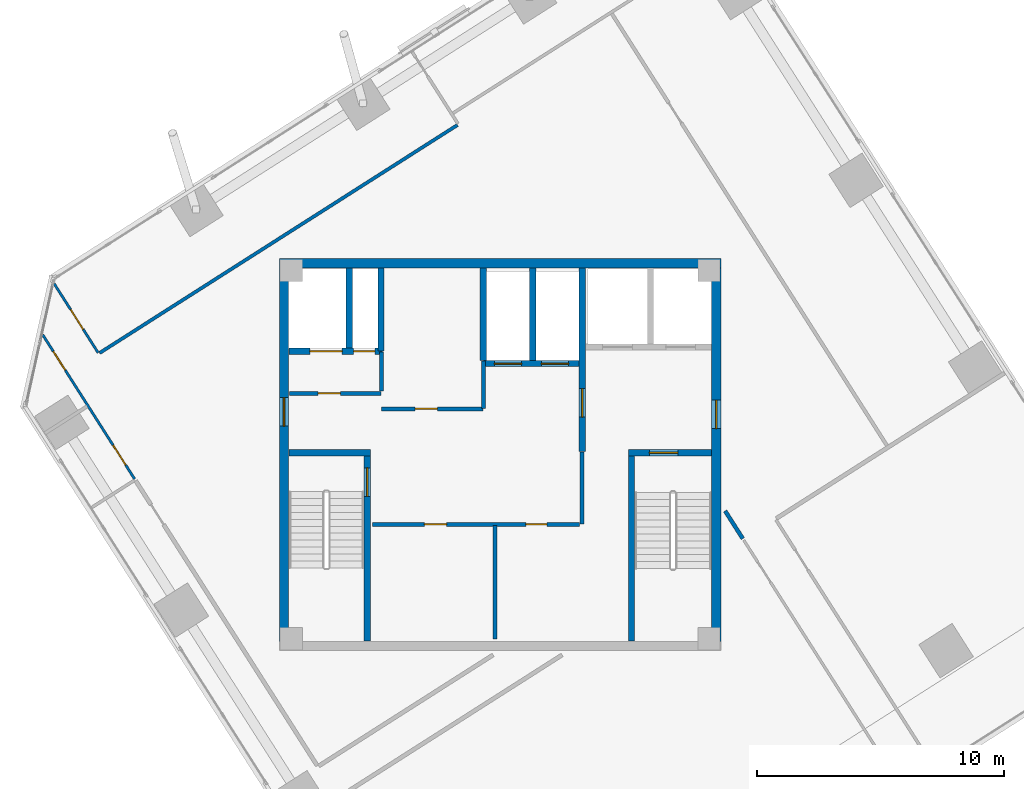
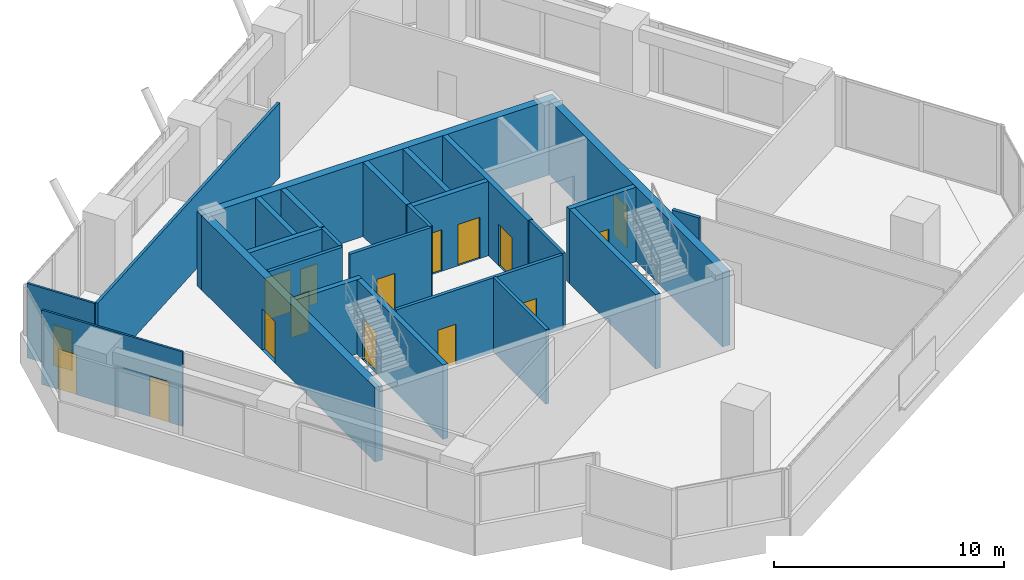
# One storey, part 10 of 14: 25 walls, 16 doors, 16 openings.
"""IFC4 building model written with IfcOpenShell, lengths in metres."""

from ifc_helpers import new_model, si_unit, direction, frame, frame_2d, origin, place, context, subcontext, project, spatial, rectangle, extrude, source, transform, mapped, material, layer, layer_set, type_object, element, fill, save


model = new_model("IFC4")

# Units and contexts
model_context = context("Model", 3, precision=1e-05, world=origin(), true_north=direction((0.0, 1.0)))
body_context = subcontext(model_context, "Body", "Model", "MODEL_VIEW")
ifc_project = project(units=[si_unit("LENGTHUNIT", "METRE"), si_unit("AREAUNIT", "SQUARE_METRE"), si_unit("VOLUMEUNIT", "CUBIC_METRE"), si_unit("PLANEANGLEUNIT", "RADIAN"), si_unit("MASSUNIT", "GRAM", prefix="KILO")], contexts=[model_context])

# Site, building, storey
site_placement = place(None, origin())
site = spatial("IfcSite", under=ifc_project, at=site_placement, CompositionType="ELEMENT")
building_placement = place(site_placement, origin())
building = spatial("IfcBuilding", under=site, at=building_placement, Name="Torre Montelarca", CompositionType="ELEMENT")
storey_placement = place(building_placement, frame((0.0, 0.0, 315.60009765625)))
storey = spatial("IfcBuildingStorey", under=building, at=storey_placement, Name="L71", CompositionType="ELEMENT", Elevation=315.60009765625)

# Wall, opening, door
ifc_material_1 = material(Name="Concrete C40/50", Category="concrete")
ifc_layer_1 = layer(ifc_material_1, 0.25, Name="Concrete C40/50", Category="concrete")
ifc_layer_set_1 = layer_set([ifc_layer_1], Name="Concrete C40/50")
wall_type_1 = type_object("IfcWallType", Name="CW-SHAFT-250", PredefinedType="SHEAR", material=ifc_layer_set_1)
wall_1_placement = place(storey_placement, frame((12.625, 24.4599609375, 0.0), z_axis=(0.0, 0.0, 1.0), x_axis=(0.0, 1.0, 0.0)))
wall_1 = element("IfcWall", 1, at=wall_1_placement, inside=storey, type_object=wall_type_1, Name="L71 Core Shear Wall SH-ST1-E", PredefinedType="SHEAR", context=body_context, shape_type="SweptSolid", body=[
    extrude(rectangle(XDim=7.489990234375, YDim=0.25, at=frame_2d((3.7451171875, 0.0))), origin(), (0.0, 0.0, 1.0), 3.9599609375),
])
opening_1_placement = place(wall_1_placement, frame((5.85009765625, 0.0, 0.0)))
opening_1 = element("IfcOpeningElement", 2, at=opening_1_placement, cuts=wall_1, Name="Opening FD-ST1", PredefinedType="OPENING", context=body_context, shape_type="SweptSolid", body=[
    extrude(rectangle(XDim=1.14990234375, YDim=2.199951171875, at=frame_2d((0.574951171875, 1.10009765625))), frame((0.0, 0.135009765625, 0.0), z_axis=(0.0, -1.0, 0.0), x_axis=(1.0, 0.0, 0.0)), (0.0, 0.0, 1.0), 0.27001953125),
])
ifc_material_2 = material(Name="Galvanized steel fire door", Category="steel")
door_type_1 = type_object("IfcDoorType", Name="DR-STAIR-115", OperationType="NOTDEFINED", PredefinedType="DOOR", material=ifc_material_2)
shared_shape_1 = source(origin(), body_context, "Body", "SweptSolid", [
    extrude(rectangle(XDim=1.14990234375, YDim=2.199951171875, at=frame_2d((0.574951171875, 1.10009765625))), frame((0.0, 0.02490234375, 0.0), z_axis=(0.0, -1.0, 0.0), x_axis=(1.0, 0.0, 0.0)), (0.0, 0.0, 1.0), 0.050048828125),
])
door_1_placement = place(opening_1_placement, origin())
door_1 = element("IfcDoor", 3, at=door_1_placement, inside=storey, type_object=door_type_1, Name="L71 Exit Stair ST1 Fire Door", OperationType="SINGLE_SWING_RIGHT", OverallHeight=2.199951171875, OverallWidth=1.14990234375, PredefinedType="DOOR", context=body_context, shape_type="MappedRepresentation", body=[
    mapped(shared_shape_1, transform((0.0, 0.0, 0.0), scale=1.0)),
])
fill(opening_1, door_1)

# Walls
wall_2_placement = place(storey_placement, frame((9.4599609375, 32.074951171875, 0.0), z_axis=(0.0, 0.0, 1.0), x_axis=(1.0, 0.0, 0.0)))
element("IfcWall", 4, at=wall_2_placement, inside=storey, type_object=wall_type_1, Name="L71 Core Shear Wall SH-ST1-N", PredefinedType="SHEAR", context=body_context, shape_type="SweptSolid", body=[
    extrude(rectangle(XDim=3.2900390625, YDim=0.25, at=frame_2d((1.64501953125, 0.0))), origin(), (0.0, 0.0, 1.0), 3.9599609375),
])
wall_3_placement = place(storey_placement, frame((23.31494140625, 24.4599609375, 0.0), z_axis=(0.0, 0.0, 1.0), x_axis=(0.0, 1.0, 0.0)))
element("IfcWall", 5, at=wall_3_placement, inside=storey, type_object=wall_type_1, Name="L71 Core Shear Wall SH-ST2-W", PredefinedType="SHEAR", context=body_context, shape_type="SweptSolid", body=[
    extrude(rectangle(XDim=7.489990234375, YDim=0.25, at=frame_2d((3.7451171875, 0.0))), origin(), (0.0, 0.0, 1.0), 3.9599609375),
])

# Wall, opening, door
wall_4_placement = place(storey_placement, frame((23.18994140625, 32.074951171875, 0.0), z_axis=(0.0, 0.0, 1.0), x_axis=(1.0, 0.0, 0.0)))
wall_4 = element("IfcWall", 6, at=wall_4_placement, inside=storey, type_object=wall_type_1, Name="L71 Core Shear Wall SH-ST2-N", PredefinedType="SHEAR", context=body_context, shape_type="SweptSolid", body=[
    extrude(rectangle(XDim=3.35009765625, YDim=0.25, at=frame_2d((1.675048828125, 0.0))), origin(), (0.0, 0.0, 1.0), 3.9599609375),
])
opening_2_placement = place(wall_4_placement, frame((0.85009765625, 0.0, 0.0)))
opening_2 = element("IfcOpeningElement", 7, at=opening_2_placement, cuts=wall_4, Name="Opening FD-ST1", PredefinedType="OPENING", context=body_context, shape_type="SweptSolid", body=[
    extrude(rectangle(XDim=1.14990234375, YDim=2.199951171875, at=frame_2d((0.574951171875, 1.10009765625))), frame((0.0, 0.135009765625, 0.0), z_axis=(0.0, -1.0, 0.0), x_axis=(1.0, 0.0, 0.0)), (0.0, 0.0, 1.0), 0.27001953125),
])
door_2_placement = place(opening_2_placement, origin())
door_2 = element("IfcDoor", 8, at=door_2_placement, inside=storey, type_object=door_type_1, Name="L71 Exit Stair ST2 Fire Door", OperationType="SINGLE_SWING_RIGHT", OverallHeight=2.199951171875, OverallWidth=1.14990234375, PredefinedType="DOOR", context=body_context, shape_type="MappedRepresentation", body=[
    mapped(shared_shape_1, transform((0.0, 0.0, 0.0), scale=1.0)),
])
fill(opening_2, door_2)

wall_5_placement = place(storey_placement, frame((21.320068359375, 32.1201171875, 0.0), z_axis=(0.0, 0.0, 1.0), x_axis=(0.0, 1.0, 0.0)))
wall_5 = element("IfcWall", 9, at=wall_5_placement, inside=storey, type_object=wall_type_1, Name="L71 Core Shear Wall SH-FFL-W", PredefinedType="SHEAR", context=body_context, shape_type="SweptSolid", body=[
    extrude(rectangle(XDim=7.419921875, YDim=0.25, at=frame_2d((3.7099609375, 0.0))), origin(), (0.0, 0.0, 1.0), 3.9599609375),
])
opening_3_placement = place(wall_5_placement, frame((1.39990234375, 0.0, 0.0)))
opening_3 = element("IfcOpeningElement", 10, at=opening_3_placement, cuts=wall_5, Name="Opening FD-LB1", PredefinedType="OPENING", context=body_context, shape_type="SweptSolid", body=[
    extrude(rectangle(XDim=1.14990234375, YDim=2.199951171875, at=frame_2d((0.574951171875, 1.10009765625))), frame((0.0, 0.135009765625, 0.0), z_axis=(0.0, -1.0, 0.0), x_axis=(1.0, 0.0, 0.0)), (0.0, 0.0, 1.0), 0.27001953125),
])
ifc_material_3 = material(Name="Acoustic timber-veneered fire door", Category="wood")
door_type_2 = type_object("IfcDoorType", Name="DR-LOBBY-115", OperationType="NOTDEFINED", PredefinedType="DOOR", material=ifc_material_3)
shared_shape_2 = source(origin(), body_context, "Body", "SweptSolid", [
    extrude(rectangle(XDim=1.14990234375, YDim=2.199951171875, at=frame_2d((0.574951171875, 1.10009765625))), frame((0.0, 0.02490234375, 0.0), z_axis=(0.0, -1.0, 0.0), x_axis=(1.0, 0.0, 0.0)), (0.0, 0.0, 1.0), 0.050048828125),
])
door_3_placement = place(opening_3_placement, origin())
door_3 = element("IfcDoor", 11, at=door_3_placement, inside=storey, type_object=door_type_2, Name="L71 Lift Lobby to Firefighting Lobby Smoke Door", OperationType="SINGLE_SWING_LEFT", OverallHeight=2.199951171875, OverallWidth=1.14990234375, PredefinedType="DOOR", context=body_context, shape_type="MappedRepresentation", body=[
    mapped(shared_shape_2, transform((0.0, 0.0, 0.0), scale=1.0)),
])
fill(opening_3, door_3)

# Wall, openings, doors
wall_6_placement = place(storey_placement, frame((9.4599609375, 36.179931640625, 0.0), z_axis=(0.0, 0.0, 1.0), x_axis=(1.0, 0.0, 0.0)))
wall_6 = element("IfcWall", 12, at=wall_6_placement, inside=storey, type_object=wall_type_1, Name="L71 Core Shear Wall SH-SV1-S", PredefinedType="SHEAR", context=body_context, shape_type="SweptSolid", body=[
    extrude(rectangle(XDim=3.7900390625, YDim=0.25, at=frame_2d((1.89501953125, 0.0))), origin(), (0.0, 0.0, 1.0), 3.9599609375),
])
opening_4_placement = place(wall_6_placement, frame((2.6201171875, 0.0, 0.0)))
opening_4 = element("IfcOpeningElement", 13, at=opening_4_placement, cuts=wall_6, Name="Opening FD-085", PredefinedType="OPENING", context=body_context, shape_type="SweptSolid", body=[
    extrude(rectangle(XDim=0.85009765625, YDim=2.10009765625, at=frame_2d((0.425048828125, 1.050048828125))), frame((0.0, 0.135009765625, 0.0), z_axis=(0.0, -1.0, 0.0), x_axis=(1.0, 0.0, 0.0)), (0.0, 0.0, 1.0), 0.27001953125),
])
opening_5_placement = place(wall_6_placement, frame((0.85009765625, 0.0, 0.0)))
opening_5 = element("IfcOpeningElement", 14, at=opening_5_placement, cuts=wall_6, Name="Opening LD-130", PredefinedType="OPENING", context=body_context, shape_type="SweptSolid", body=[
    extrude(rectangle(XDim=1.300048828125, YDim=2.25, at=frame_2d((0.64990234375, 1.125))), frame((0.0, 0.135009765625, 0.0), z_axis=(0.0, -1.0, 0.0), x_axis=(1.0, 0.0, 0.0)), (0.0, 0.0, 1.0), 0.27001953125),
])
ifc_material_4 = material(Name="Steel riser access fire door", Category="steel")
door_type_3 = type_object("IfcDoorType", Name="DR-RISER-085", OperationType="NOTDEFINED", PredefinedType="DOOR", material=ifc_material_4)
shared_shape_3 = source(origin(), body_context, "Body", "SweptSolid", [
    extrude(rectangle(XDim=0.85009765625, YDim=2.10009765625, at=frame_2d((0.425048828125, 1.050048828125))), frame((0.0, 0.02490234375, 0.0), z_axis=(0.0, -1.0, 0.0), x_axis=(1.0, 0.0, 0.0)), (0.0, 0.0, 1.0), 0.050048828125),
])
door_4_placement = place(opening_4_placement, origin())
door_4 = element("IfcDoor", 15, at=door_4_placement, inside=storey, type_object=door_type_3, Name="L71 Electrical Riser Shaft Access Door", OperationType="SINGLE_SWING_RIGHT", OverallHeight=2.10009765625, OverallWidth=0.85009765625, PredefinedType="DOOR", context=body_context, shape_type="MappedRepresentation", body=[
    mapped(shared_shape_3, transform((0.0, 0.0, 0.0), scale=1.0)),
])
fill(opening_4, door_4)
ifc_material_5 = material(Name="Brushed stainless steel AISI 316", Category="steel")
door_type_4 = type_object("IfcDoorType", Name="DR-LIFT-130", OperationType="SLIDING_TO_LEFT", PredefinedType="DOOR", material=ifc_material_5)
shared_shape_4 = source(origin(), body_context, "Body", "SweptSolid", [
    extrude(rectangle(XDim=1.300048828125, YDim=2.25, at=frame_2d((0.64990234375, 1.125))), frame((0.0, 0.02490234375, 0.0), z_axis=(0.0, -1.0, 0.0), x_axis=(1.0, 0.0, 0.0)), (0.0, 0.0, 1.0), 0.050048828125),
])
door_5_placement = place(opening_5_placement, origin())
door_5 = element("IfcDoor", 16, at=door_5_placement, inside=storey, type_object=door_type_4, Name="L71 Lift Landing Sliding Door SV-1", OperationType="SLIDING_TO_LEFT", OverallHeight=2.25, OverallWidth=1.300048828125, PredefinedType="DOOR", context=body_context, shape_type="MappedRepresentation", body=[
    mapped(shared_shape_4, transform((0.0, 0.0, 0.0), scale=1.0)),
])
fill(opening_5, door_5)

# Walls
wall_7_placement = place(storey_placement, frame((11.89990234375, 36.31005859375, 0.0), z_axis=(0.0, 0.0, 1.0), x_axis=(0.0, 1.0, 0.0)))
element("IfcWall", 17, at=wall_7_placement, inside=storey, type_object=wall_type_1, Name="L71 Core Shear Wall SH-SV1-E", PredefinedType="SHEAR", context=body_context, shape_type="SweptSolid", body=[
    extrude(rectangle(XDim=3.22998046875, YDim=0.25, at=frame_2d((1.614990234375, 0.0))), origin(), (0.0, 0.0, 1.0), 3.9599609375),
])
wall_8_placement = place(storey_placement, frame((13.179931640625, 36.199951171875, 0.0), z_axis=(0.0, 0.0, 1.0), x_axis=(0.0, 1.0, 0.0)))
element("IfcWall", 18, at=wall_8_placement, inside=storey, type_object=wall_type_1, Name="L71 Core Shear Wall SH-RSR1-E", PredefinedType="SHEAR", context=body_context, shape_type="SweptSolid", body=[
    extrude(rectangle(XDim=3.340087890625, YDim=0.25, at=frame_2d((1.669921875, 0.0))), origin(), (0.0, 0.0, 1.0), 3.9599609375),
])

# Wall, openings, doors
wall_9_placement = place(storey_placement, frame((17.320068359375, 35.679931640625, 0.0), z_axis=(0.0, 0.0, 1.0), x_axis=(1.0, 0.0, 0.0)))
wall_9 = element("IfcWall", 19, at=wall_9_placement, inside=storey, type_object=wall_type_1, Name="L71 Core Shear Wall SH-PLH-S", PredefinedType="SHEAR", context=body_context, shape_type="SweptSolid", body=[
    extrude(rectangle(XDim=3.869873046875, YDim=0.25, at=frame_2d((1.93505859375, 0.0))), origin(), (0.0, 0.0, 1.0), 3.9599609375),
])
opening_6_placement = place(wall_9_placement, frame((0.449951171875, 0.0, 0.0)))
opening_6 = element("IfcOpeningElement", 20, at=opening_6_placement, cuts=wall_9, Name="Opening LD-110", PredefinedType="OPENING", context=body_context, shape_type="SweptSolid", body=[
    extrude(rectangle(XDim=1.10009765625, YDim=2.199951171875, at=frame_2d((0.550048828125, 1.10009765625))), frame((0.0, 0.135009765625, 0.0), z_axis=(0.0, -1.0, 0.0), x_axis=(1.0, 0.0, 0.0)), (0.0, 0.0, 1.0), 0.27001953125),
])
opening_7_placement = place(wall_9_placement, frame((2.35009765625, 0.0, 0.0)))
opening_7 = element("IfcOpeningElement", 21, at=opening_7_placement, cuts=wall_9, Name="Opening LD-110", PredefinedType="OPENING", context=body_context, shape_type="SweptSolid", body=[
    extrude(rectangle(XDim=1.10009765625, YDim=2.199951171875, at=frame_2d((0.550048828125, 1.10009765625))), frame((0.0, 0.135009765625, 0.0), z_axis=(0.0, -1.0, 0.0), x_axis=(1.0, 0.0, 0.0)), (0.0, 0.0, 1.0), 0.27001953125),
])
door_type_5 = type_object("IfcDoorType", Name="DR-LIFT-110", OperationType="SLIDING_TO_LEFT", PredefinedType="DOOR", material=ifc_material_5)
shared_shape_5 = source(origin(), body_context, "Body", "SweptSolid", [
    extrude(rectangle(XDim=1.10009765625, YDim=2.199951171875, at=frame_2d((0.550048828125, 1.10009765625))), frame((0.0, 0.02490234375, 0.0), z_axis=(0.0, -1.0, 0.0), x_axis=(1.0, 0.0, 0.0)), (0.0, 0.0, 1.0), 0.050048828125),
])
door_6_placement = place(opening_6_placement, origin())
door_6 = element("IfcDoor", 22, at=door_6_placement, inside=storey, type_object=door_type_5, Name="L71 Lift Landing Sliding Door PL-H1", OperationType="SLIDING_TO_LEFT", OverallHeight=2.199951171875, OverallWidth=1.10009765625, PredefinedType="DOOR", context=body_context, shape_type="MappedRepresentation", body=[
    mapped(shared_shape_5, transform((0.0, 0.0, 0.0), scale=1.0)),
])
fill(opening_6, door_6)
door_7_placement = place(opening_7_placement, origin())
door_7 = element("IfcDoor", 23, at=door_7_placement, inside=storey, type_object=door_type_5, Name="L71 Lift Landing Sliding Door PL-H2", OperationType="SLIDING_TO_RIGHT", OverallHeight=2.199951171875, OverallWidth=1.10009765625, PredefinedType="DOOR", context=body_context, shape_type="MappedRepresentation", body=[
    mapped(shared_shape_5, transform((0.0, 0.0, 0.0), scale=1.0)),
])
fill(opening_7, door_7)

# Walls
for number, where, z_axis, x_axis, name in (
    (24, (17.320068359375, 35.81005859375, 0.0), (0.0, 0.0, 1.0), (0.0, 1.0, 0.0), "L71 Core Shear Wall SH-PLH-W"),
    (25, (19.320068359375, 35.81005859375, 0.0), (0.0, 0.0, 1.0), (0.0, 1.0, 0.0), "L71 Core Shear Wall SH-PLH-M"),
):
    element("IfcWall", number, at=place(storey_placement, frame(where, z_axis=z_axis, x_axis=x_axis)), inside=storey, type_object=wall_type_1, Name=name, PredefinedType="SHEAR", context=body_context, shape_type="SweptSolid", body=[
        extrude(rectangle(XDim=3.72998046875, YDim=0.25, at=frame_2d((1.864990234375, 0.0))), origin(), (0.0, 0.0, 1.0), 3.9599609375),
    ])

# Wall, opening, door
ifc_layer_2 = layer(ifc_material_1, 0.3798828125, Name="Concrete C40/50", Category="concrete")
ifc_layer_set_2 = layer_set([ifc_layer_2], Name="Concrete C40/50")
wall_type_2 = type_object("IfcWallType", Name="CW-SHEAR-380", PredefinedType="SHEAR", material=ifc_layer_set_2)
wall_10_placement = place(storey_placement, frame((9.260009765625, 24.449951171875, 0.0), z_axis=(0.0, 0.0, 1.0), x_axis=(0.0, 1.0, 0.0)))
wall_10 = element("IfcWall", 26, at=wall_10_placement, inside=storey, type_object=wall_type_2, Name="L71 Core Shear Wall CW-W", PredefinedType="SHEAR", context=body_context, shape_type="SweptSolid", body=[
    extrude(rectangle(XDim=15.10009765625, YDim=0.3798828125, at=frame_2d((7.550048828125, 0.0))), origin(), (0.0, 0.0, 1.0), 3.9599609375),
])
opening_8_placement = place(wall_10_placement, frame((8.699951171875, 0.0, 0.0)))
opening_8 = element("IfcOpeningElement", 27, at=opening_8_placement, cuts=wall_10, Name="Opening FD-LB1", PredefinedType="OPENING", context=body_context, shape_type="SweptSolid", body=[
    extrude(rectangle(XDim=1.14990234375, YDim=2.199951171875, at=frame_2d((0.574951171875, 1.10009765625))), frame((0.0, 0.199951171875, 0.0), z_axis=(0.0, -1.0, 0.0), x_axis=(1.0, 0.0, 0.0)), (0.0, 0.0, 1.0), 0.39990234375),
])
door_8_placement = place(opening_8_placement, origin())
door_8 = element("IfcDoor", 28, at=door_8_placement, inside=storey, type_object=door_type_2, Name="L71 Passenger Lift Lobby West Corridor Fire Door", OperationType="SINGLE_SWING_RIGHT", OverallHeight=2.199951171875, OverallWidth=1.14990234375, PredefinedType="DOOR", context=body_context, shape_type="MappedRepresentation", body=[
    mapped(shared_shape_2, transform((0.0, 0.0, 0.0), scale=1.0)),
])
fill(opening_8, door_8)

wall_11_placement = place(storey_placement, frame((26.739990234375, 24.449951171875, 0.0), z_axis=(0.0, 0.0, 1.0), x_axis=(0.0, 1.0, 0.0)))
wall_11 = element("IfcWall", 29, at=wall_11_placement, inside=storey, type_object=wall_type_2, Name="L71 Core Shear Wall CW-E", PredefinedType="SHEAR", context=body_context, shape_type="SweptSolid", body=[
    extrude(rectangle(XDim=15.10009765625, YDim=0.3798828125, at=frame_2d((7.550048828125, 0.0))), origin(), (0.0, 0.0, 1.0), 3.9599609375),
])
opening_9_placement = place(wall_11_placement, frame((8.60009765625, 0.0, 0.0)))
opening_9 = element("IfcOpeningElement", 30, at=opening_9_placement, cuts=wall_11, Name="Opening FD-LB1", PredefinedType="OPENING", context=body_context, shape_type="SweptSolid", body=[
    extrude(rectangle(XDim=1.14990234375, YDim=2.199951171875, at=frame_2d((0.574951171875, 1.10009765625))), frame((0.0, 0.199951171875, 0.0), z_axis=(0.0, -1.0, 0.0), x_axis=(1.0, 0.0, 0.0)), (0.0, 0.0, 1.0), 0.39990234375),
])
door_9_placement = place(opening_9_placement, origin())
door_9 = element("IfcDoor", 31, at=door_9_placement, inside=storey, type_object=door_type_2, Name="L71 Firefighting Lift Lobby Corridor Fire Door", OperationType="SINGLE_SWING_RIGHT", OverallHeight=2.199951171875, OverallWidth=1.14990234375, PredefinedType="DOOR", context=body_context, shape_type="MappedRepresentation", body=[
    mapped(shared_shape_2, transform((0.0, 0.0, 0.0), scale=1.0)),
])
fill(opening_9, door_9)

# Wall
wall_12_placement = place(storey_placement, frame((9.070068359375, 39.739990234375, 0.0), z_axis=(0.0, 0.0, 1.0), x_axis=(1.0, 0.0, 0.0)))
element("IfcWall", 32, at=wall_12_placement, inside=storey, type_object=wall_type_2, Name="L71 Core Shear Wall CW-N1", PredefinedType="SHEAR", context=body_context, shape_type="SweptSolid", body=[
    extrude(rectangle(XDim=17.85986328125, YDim=0.3798828125, at=frame_2d((8.929931640625, 0.0))), origin(), (0.0, 0.0, 1.0), 3.9599609375),
])

# Wall, opening, door
ifc_material_6 = material(Name="Gypsum plasterboard on steel stud", Category="steel")
ifc_layer_3 = layer(ifc_material_6, 0.159912109375, Name="Gypsum plasterboard on steel stud", Category="steel")
ifc_layer_set_3 = layer_set([ifc_layer_3], Name="Gypsum plasterboard on steel stud")
wall_type_3 = type_object("IfcWallType", Name="PW-FIRE-160", PredefinedType="PARTITIONING", material=ifc_layer_set_3)
wall_13_placement = place(storey_placement, frame((9.489990234375, 34.47998046875, 0.0), z_axis=(0.0, 0.0, 1.0), x_axis=(1.0, 0.0, 0.0)))
wall_13 = element("IfcWall", 33, at=wall_13_placement, inside=storey, type_object=wall_type_3, Name="L71 Interior Partition CW-L71-SVS", PredefinedType="PARTITIONING", context=body_context, shape_type="SweptSolid", body=[
    extrude(rectangle(XDim=3.699951171875, YDim=0.159912109375, at=frame_2d((1.85009765625, 0.0))), origin(), (0.0, 0.0, 1.0), 3.9599609375),
])
opening_10_placement = place(wall_13_placement, frame((1.14990234375, 0.0, 0.0)))
opening_10 = element("IfcOpeningElement", 34, at=opening_10_placement, cuts=wall_13, Name="Opening FD-090", PredefinedType="OPENING", context=body_context, shape_type="SweptSolid", body=[
    extrude(rectangle(XDim=0.89990234375, YDim=2.14990234375, at=frame_2d((0.449951171875, 1.074951171875))), frame((0.0, 0.08984375, 0.0), z_axis=(0.0, -1.0, 0.0), x_axis=(1.0, 0.0, 0.0)), (0.0, 0.0, 1.0), 0.179931640625),
])
ifc_material_7 = material(Name="Steel service fire door", Category="steel")
door_type_6 = type_object("IfcDoorType", Name="DR-FIRE-090", OperationType="NOTDEFINED", PredefinedType="DOOR", material=ifc_material_7)
shared_shape_6 = source(origin(), body_context, "Body", "SweptSolid", [
    extrude(rectangle(XDim=0.89990234375, YDim=2.14990234375, at=frame_2d((0.449951171875, 1.074951171875))), frame((0.0, 0.02490234375, 0.0), z_axis=(0.0, -1.0, 0.0), x_axis=(1.0, 0.0, 0.0)), (0.0, 0.0, 1.0), 0.050048828125),
])
door_10_placement = place(opening_10_placement, origin())
door_10 = element("IfcDoor", 35, at=door_10_placement, inside=storey, type_object=door_type_6, Name="L71 Interior Door 01", OperationType="SINGLE_SWING_RIGHT", OverallHeight=2.14990234375, OverallWidth=0.89990234375, PredefinedType="DOOR", context=body_context, shape_type="MappedRepresentation", body=[
    mapped(shared_shape_6, transform((0.0, 0.0, 0.0), scale=1.0)),
])
fill(opening_10, door_10)

# Wall
wall_14_placement = place(storey_placement, frame((13.199951171875, 34.570068359375, 0.0), z_axis=(0.0, 0.0, 1.0), x_axis=(0.0, 1.0, 0.0)))
element("IfcWall", 36, at=wall_14_placement, inside=storey, type_object=wall_type_3, Name="L71 Interior Partition CW-L71-SVE", PredefinedType="PARTITIONING", context=body_context, shape_type="SweptSolid", body=[
    extrude(rectangle(XDim=1.56982421875, YDim=0.159912109375, at=frame_2d((0.784912109375, 0.0))), origin(), (0.0, 0.0, 1.0), 3.9599609375),
])

# Wall, opening, door
wall_15_placement = place(storey_placement, frame((13.2099609375, 33.85009765625, 0.0), z_axis=(0.0, 0.0, 1.0), x_axis=(1.0, 0.0, 0.0)))
wall_15 = element("IfcWall", 37, at=wall_15_placement, inside=storey, type_object=wall_type_3, Name="L71 Interior Partition CW-L71-FRMS", PredefinedType="PARTITIONING", context=body_context, shape_type="SweptSolid", body=[
    extrude(rectangle(XDim=4.10009765625, YDim=0.159912109375, at=frame_2d((2.050048828125, 0.0))), origin(), (0.0, 0.0, 1.0), 3.9599609375),
])
opening_11_placement = place(wall_15_placement, frame((1.35009765625, 0.0, 0.0)))
opening_11 = element("IfcOpeningElement", 38, at=opening_11_placement, cuts=wall_15, Name="Opening FD-090", PredefinedType="OPENING", context=body_context, shape_type="SweptSolid", body=[
    extrude(rectangle(XDim=0.89990234375, YDim=2.14990234375, at=frame_2d((0.449951171875, 1.074951171875))), frame((0.0, 0.08984375, 0.0), z_axis=(0.0, -1.0, 0.0), x_axis=(1.0, 0.0, 0.0)), (0.0, 0.0, 1.0), 0.179931640625),
])
door_11_placement = place(opening_11_placement, origin())
door_11 = element("IfcDoor", 39, at=door_11_placement, inside=storey, type_object=door_type_6, Name="L71 Interior Door 02", OperationType="SINGLE_SWING_LEFT", OverallHeight=2.14990234375, OverallWidth=0.89990234375, PredefinedType="DOOR", context=body_context, shape_type="MappedRepresentation", body=[
    mapped(shared_shape_6, transform((0.0, 0.0, 0.0), scale=1.0)),
])
fill(opening_11, door_11)

# Wall
wall_16_placement = place(storey_placement, frame((17.320068359375, 33.860107421875, 0.0), z_axis=(0.0, 0.0, 1.0), x_axis=(0.0, 1.0, 0.0)))
element("IfcWall", 40, at=wall_16_placement, inside=storey, type_object=wall_type_3, Name="L71 Interior Partition CW-L71-FRME", PredefinedType="PARTITIONING", context=body_context, shape_type="SweptSolid", body=[
    extrude(rectangle(XDim=1.929931640625, YDim=0.159912109375, at=frame_2d((0.96484375, 0.0))), origin(), (0.0, 0.0, 1.0), 3.9599609375),
])

# Wall, openings, doors
wall_17_placement = place(storey_placement, frame((12.840087890625, 29.179931640625, 0.0), z_axis=(0.0, 0.0, 1.0), x_axis=(1.0, 0.0, 0.0)))
wall_17 = element("IfcWall", 41, at=wall_17_placement, inside=storey, type_object=wall_type_3, Name="L71 Interior Partition CW-L71-FRDN", PredefinedType="PARTITIONING", context=body_context, shape_type="SweptSolid", body=[
    extrude(rectangle(XDim=8.369873046875, YDim=0.159912109375, at=frame_2d((4.18505859375, 0.0))), origin(), (0.0, 0.0, 1.0), 3.9599609375),
])
opening_12_placement = place(wall_17_placement, frame((2.10009765625, 0.0, 0.0)))
opening_12 = element("IfcOpeningElement", 42, at=opening_12_placement, cuts=wall_17, Name="Opening FD-090", PredefinedType="OPENING", context=body_context, shape_type="SweptSolid", body=[
    extrude(rectangle(XDim=0.89990234375, YDim=2.14990234375, at=frame_2d((0.449951171875, 1.074951171875))), frame((0.0, 0.08984375, 0.0), z_axis=(0.0, -1.0, 0.0), x_axis=(1.0, 0.0, 0.0)), (0.0, 0.0, 1.0), 0.179931640625),
])
opening_13_placement = place(wall_17_placement, frame((6.199951171875, 0.0, 0.0)))
opening_13 = element("IfcOpeningElement", 43, at=opening_13_placement, cuts=wall_17, Name="Opening FD-085", PredefinedType="OPENING", context=body_context, shape_type="SweptSolid", body=[
    extrude(rectangle(XDim=0.85009765625, YDim=2.10009765625, at=frame_2d((0.425048828125, 1.050048828125))), frame((0.0, 0.08984375, 0.0), z_axis=(0.0, -1.0, 0.0), x_axis=(1.0, 0.0, 0.0)), (0.0, 0.0, 1.0), 0.179931640625),
])
door_12_placement = place(opening_13_placement, origin())
door_12 = element("IfcDoor", 44, at=door_12_placement, inside=storey, type_object=door_type_3, Name="L71 Interior Door 04", OperationType="SINGLE_SWING_LEFT", OverallHeight=2.10009765625, OverallWidth=0.85009765625, PredefinedType="DOOR", context=body_context, shape_type="MappedRepresentation", body=[
    mapped(shared_shape_3, transform((0.0, 0.0, 0.0), scale=1.0)),
])
fill(opening_13, door_12)
door_13_placement = place(opening_12_placement, origin())
door_13 = element("IfcDoor", 45, at=door_13_placement, inside=storey, type_object=door_type_6, Name="L71 Interior Door 03", OperationType="SINGLE_SWING_RIGHT", OverallHeight=2.14990234375, OverallWidth=0.89990234375, PredefinedType="DOOR", context=body_context, shape_type="MappedRepresentation", body=[
    mapped(shared_shape_6, transform((0.0, 0.0, 0.0), scale=1.0)),
])
fill(opening_12, door_13)

# Walls
wall_18_placement = place(storey_placement, frame((17.800048828125, 24.5400390625, 0.0), z_axis=(0.0, 0.0, 1.0), x_axis=(0.0, 1.0, 0.0)))
element("IfcWall", 46, at=wall_18_placement, inside=storey, type_object=wall_type_3, Name="L71 Interior Partition CW-L71-FRD1", PredefinedType="PARTITIONING", context=body_context, shape_type="SweptSolid", body=[
    extrude(rectangle(XDim=4.599853515625, YDim=0.159912109375, at=frame_2d((2.2998046875, 0.0))), origin(), (0.0, 0.0, 1.0), 3.9599609375),
])
wall_19_placement = place(storey_placement, frame((21.320068359375, 29.18994140625, 0.0), z_axis=(0.0, 0.0, 1.0), x_axis=(0.0, 1.0, 0.0)))
element("IfcWall", 47, at=wall_19_placement, inside=storey, type_object=wall_type_3, Name="L71 Interior Partition CW-L71-FRE", PredefinedType="PARTITIONING", context=body_context, shape_type="SweptSolid", body=[
    extrude(rectangle(XDim=2.920166015625, YDim=0.159912109375, at=frame_2d((1.4599609375, 0.0))), origin(), (0.0, 0.0, 1.0), 3.9599609375),
])
wall_20_placement = place(storey_placement, frame((27.1015625, 29.721435546875, 0.0), z_axis=(0.0, 0.0, 1.0), x_axis=(0.537279676557, -0.843404143432, 0.0)))
element("IfcWall", 48, at=wall_20_placement, inside=storey, type_object=wall_type_3, Name="L71 Interior Partition W-L71-SOCCN3", PredefinedType="PARTITIONING", context=body_context, shape_type="SweptSolid", body=[
    extrude(rectangle(XDim=1.32861328125, YDim=0.159912109375, at=frame_2d((0.664306640625, 0.0))), origin(), (0.0, 0.0, 1.0), 3.9599609375),
])

# Wall, openings, doors
ifc_material_8 = material(Name="Acoustic laminated glass partition", Category="glass")
ifc_layer_4 = layer(ifc_material_8, 0.10009765625, Name="Acoustic laminated glass partition", Category="glass")
ifc_layer_set_4 = layer_set([ifc_layer_4], Name="Acoustic laminated glass partition")
wall_type_4 = type_object("IfcWallType", Name="PW-GLAZ-100", PredefinedType="PARTITIONING", material=ifc_layer_set_4)
wall_21_placement = place(storey_placement, frame((-0.501708984375, 36.85009765625, 0.0), z_axis=(0.0, 0.0, 1.0), x_axis=(0.537309039539, -0.843385437407, 0.0)))
wall_21 = element("IfcWall", 49, at=wall_21_placement, inside=storey, type_object=wall_type_4, Name="L71 Interior Partition W-L71-WCN", PredefinedType="PARTITIONING", context=body_context, shape_type="SweptSolid", body=[
    extrude(rectangle(XDim=6.921875, YDim=0.10009765625, at=frame_2d((3.4609375, 0.0))), origin(), (0.0, 0.0, 1.0), 3.9599609375),
])
opening_14_placement = place(wall_21_placement, frame((0.800048828125, 0.0, 0.0)))
opening_14 = element("IfcOpeningElement", 50, at=opening_14_placement, cuts=wall_21, Name="Opening ID-090", PredefinedType="OPENING", context=body_context, shape_type="SweptSolid", body=[
    extrude(rectangle(XDim=0.89990234375, YDim=2.14990234375, at=frame_2d((0.449951171875, 1.074951171875))), frame((0.0, 0.06005859375, 0.0), z_axis=(0.0, -1.0, 0.0), x_axis=(1.0, 0.0, 0.0)), (0.0, 0.0, 1.0), 0.1201171875),
])
opening_15_placement = place(wall_21_placement, frame((5.300048828125, 0.0, 0.0)))
opening_15 = element("IfcOpeningElement", 51, at=opening_15_placement, cuts=wall_21, Name="Opening ID-095", PredefinedType="OPENING", context=body_context, shape_type="SweptSolid", body=[
    extrude(rectangle(XDim=0.949951171875, YDim=2.14990234375, at=frame_2d((0.47509765625, 1.074951171875))), frame((0.0, 0.06005859375, 0.0), z_axis=(0.0, -1.0, 0.0), x_axis=(1.0, 0.0, 0.0)), (0.0, 0.0, 1.0), 0.1201171875),
])
ifc_material_9 = material(Name="Hardwood acoustic timber veneer", Category="wood")
door_type_7 = type_object("IfcDoorType", Name="DR-INT-090", OperationType="NOTDEFINED", PredefinedType="DOOR", material=ifc_material_9)
shared_shape_7 = source(origin(), body_context, "Body", "SweptSolid", [
    extrude(rectangle(XDim=0.89990234375, YDim=2.14990234375, at=frame_2d((0.449951171875, 1.074951171875))), frame((0.0, 0.02490234375, 0.0), z_axis=(0.0, -1.0, 0.0), x_axis=(1.0, 0.0, 0.0)), (0.0, 0.0, 1.0), 0.050048828125),
])
door_14_placement = place(opening_14_placement, origin())
door_14 = element("IfcDoor", 52, at=door_14_placement, inside=storey, type_object=door_type_7, Name="L71 Interior Door 05", OperationType="SINGLE_SWING_LEFT", OverallHeight=2.14990234375, OverallWidth=0.89990234375, PredefinedType="DOOR", context=body_context, shape_type="MappedRepresentation", body=[
    mapped(shared_shape_7, transform((0.0, 0.0, 0.0), scale=1.0)),
])
fill(opening_14, door_14)
door_type_8 = type_object("IfcDoorType", Name="DR-INT-095", OperationType="NOTDEFINED", PredefinedType="DOOR", material=ifc_material_9)
shared_shape_8 = source(origin(), body_context, "Body", "SweptSolid", [
    extrude(rectangle(XDim=0.949951171875, YDim=2.14990234375, at=frame_2d((0.47509765625, 1.074951171875))), frame((0.0, 0.02490234375, 0.0), z_axis=(0.0, -1.0, 0.0), x_axis=(1.0, 0.0, 0.0)), (0.0, 0.0, 1.0), 0.050048828125),
])
door_15_placement = place(opening_15_placement, origin())
door_15 = element("IfcDoor", 53, at=door_15_placement, inside=storey, type_object=door_type_8, Name="L71 Interior Door 06", OperationType="SINGLE_SWING_RIGHT", OverallHeight=2.14990234375, OverallWidth=0.949951171875, PredefinedType="DOOR", context=body_context, shape_type="MappedRepresentation", body=[
    mapped(shared_shape_8, transform((0.0, 0.0, 0.0), scale=1.0)),
])
fill(opening_15, door_15)

# Wall, opening, door
wall_22_placement = place(storey_placement, frame((-0.04248046875, 38.921142578125, 0.0), z_axis=(0.0, 0.0, 1.0), x_axis=(0.537298651026, -0.843392055693, 0.0)))
wall_22 = element("IfcWall", 54, at=wall_22_placement, inside=storey, type_object=wall_type_4, Name="L71 Interior Partition W-L71-WPKS", PredefinedType="PARTITIONING", context=body_context, shape_type="SweptSolid", body=[
    extrude(rectangle(XDim=3.322021484375, YDim=0.10009765625, at=frame_2d((1.6611328125, 0.0))), origin(), (0.0, 0.0, 1.0), 3.9599609375),
])
opening_16_placement = place(wall_22_placement, frame((1.25, 0.0, 0.0)))
opening_16 = element("IfcOpeningElement", 55, at=opening_16_placement, cuts=wall_22, Name="Opening ID-095", PredefinedType="OPENING", context=body_context, shape_type="SweptSolid", body=[
    extrude(rectangle(XDim=0.949951171875, YDim=2.14990234375, at=frame_2d((0.47509765625, 1.074951171875))), frame((0.0, 0.06005859375, 0.0), z_axis=(0.0, -1.0, 0.0), x_axis=(1.0, 0.0, 0.0)), (0.0, 0.0, 1.0), 0.1201171875),
])
door_16_placement = place(opening_16_placement, origin())
door_16 = element("IfcDoor", 56, at=door_16_placement, inside=storey, type_object=door_type_8, Name="L71 Interior Door 09", OperationType="SINGLE_SWING_LEFT", OverallHeight=2.14990234375, OverallWidth=0.949951171875, PredefinedType="DOOR", context=body_context, shape_type="MappedRepresentation", body=[
    mapped(shared_shape_8, transform((0.0, 0.0, 0.0), scale=1.0)),
])
fill(opening_16, door_16)

# Wall
ifc_layer_5 = layer(ifc_material_6, 0.135009765625, Name="Gypsum plasterboard on steel stud", Category="steel")
ifc_layer_set_5 = layer_set([ifc_layer_5], Name="Gypsum plasterboard on steel stud")
wall_type_5 = type_object("IfcWallType", Name="PW-PART-135", PredefinedType="PARTITIONING", material=ifc_layer_set_5)
wall_23_placement = place(storey_placement, frame((1.797607421875, 36.107177734375, 0.0), z_axis=(0.0, 0.0, 1.0), x_axis=(0.843396745572, 0.537291289301, 0.0)))
element("IfcWall", 57, at=wall_23_placement, inside=storey, type_object=wall_type_5, Name="L71 Interior Partition W-L71-WPKE", PredefinedType="PARTITIONING", context=body_context, shape_type="SweptSolid", body=[
    extrude(rectangle(XDim=17.170166015625, YDim=0.135009765625, at=frame_2d((8.5849609375, 0.0))), origin(), (0.0, 0.0, 1.0), 3.9599609375),
])

save(model, "model.ifc")
